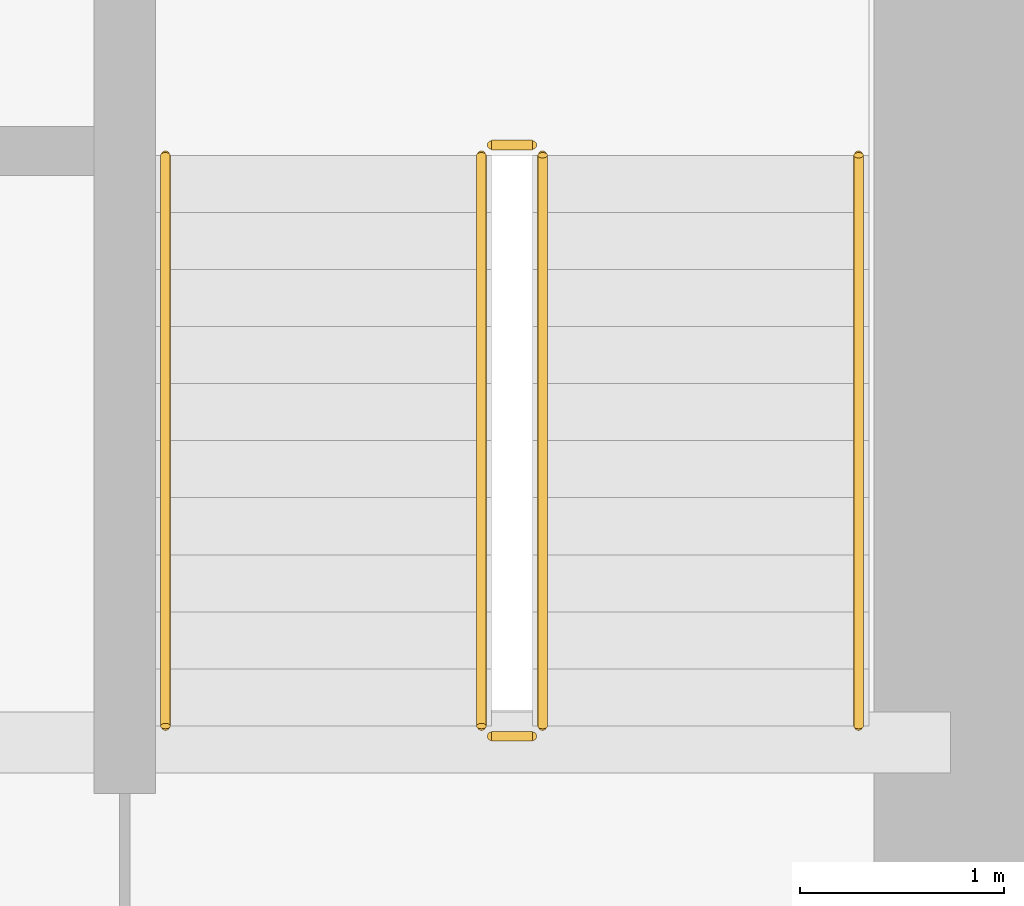
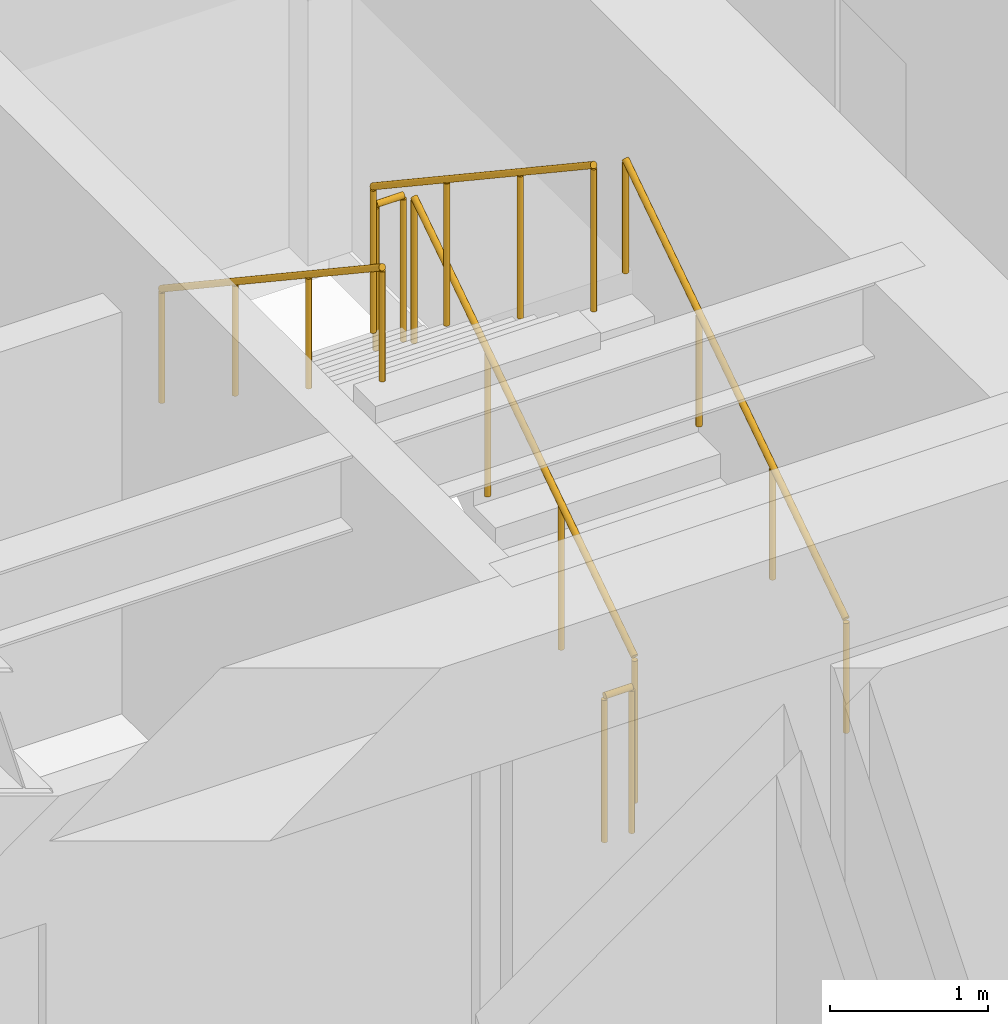
# One storey, part 35 of 35: 6 railings.
"""IFC4 building model written with IfcOpenShell, lengths in metres."""

from ifc_helpers import new_model, si_unit, direction, frame, origin, origin_2d, place, context, subcontext, project, spatial, circle, extrude, source, transform, mapped, material, type_object, type_shapes, element, save


model = new_model("IFC4")

# Units and contexts
model_context = context("Model", 3, precision=1e-05, world=origin(), true_north=direction((0.0, 1.0)))
body_context = subcontext(model_context, "Body", "Model", "MODEL_VIEW")
ifc_project = project(units=[si_unit("LENGTHUNIT", "METRE"), si_unit("AREAUNIT", "SQUARE_METRE"), si_unit("VOLUMEUNIT", "CUBIC_METRE"), si_unit("PLANEANGLEUNIT", "RADIAN"), si_unit("MASSUNIT", "GRAM", prefix="KILO")], contexts=[model_context])

# Site, building, storey
site_placement = place(None, origin())
site = spatial("IfcSite", under=ifc_project, at=site_placement, CompositionType="ELEMENT")
building_placement = place(site_placement, origin())
building = spatial("IfcBuilding", under=site, at=building_placement, Name="Haelvirn Gate Laboratories", CompositionType="ELEMENT")
storey_placement = place(building_placement, frame((0.0, 0.0, 86.699951171875)))
storey = spatial("IfcBuildingStorey", under=building, at=storey_placement, Name="L21", CompositionType="ELEMENT", Elevation=86.699951171875)

# Railings
ifc_material_1 = material(Name="Galvanised steel SM355 & stainless top rail", Category="steel")
railing_type_1 = type_object("IfcRailingType", Name="RL-GUARD-1150", PredefinedType="GUARDRAIL", material=ifc_material_1)
shared_shape_1 = source(origin(), body_context, "Body", "SweptSolid", [
    extrude(circle(Radius=0.02392578125, at=origin_2d()), frame((0.0, 0.0, 1.1259765625), z_axis=(0.0, 0.832485552168, 0.554046753832), x_axis=(-1.0, 0.0, 0.0)), (0.0, 0.0, 1.0), 3.363525390625),
    extrude(circle(Radius=0.02099609375, at=origin_2d()), origin(), (0.0, 0.0, 1.0), 1.101806640625),
    extrude(circle(Radius=0.02099609375, at=origin_2d()), frame((0.0, 0.933349609375, 0.62109375)), (0.0, 0.0, 1.0), 1.101806640625),
    extrude(circle(Radius=0.02099609375, at=origin_2d()), frame((0.0, 1.86669921875, 1.242431640625)), (0.0, 0.0, 1.0), 1.101806640625),
    extrude(circle(Radius=0.02099609375, at=origin_2d()), frame((0.0, 2.800048828125, 1.863525390625)), (0.0, 0.0, 1.0), 1.101806640625),
])
railing_1_placement = place(storey_placement, frame((65.39990234375, 26.699951171875, 0.1865234375)))
element("IfcRailing", 1, at=railing_1_placement, inside=storey, type_object=railing_type_1, Name="L21 ST2 stair guard 1", PredefinedType="GUARDRAIL", context=body_context, shape_type="MappedRepresentation", body=[
    mapped(shared_shape_1, transform((0.0, 0.0, 0.0), scale=1.0)),
])
shared_shape_2 = source(origin(), body_context, "Body", "SweptSolid", [
    extrude(circle(Radius=0.02392578125, at=origin_2d()), frame((0.0, 0.0, 1.1259765625), z_axis=(0.0, -0.832452072856, 0.554097055034), x_axis=(1.0, 0.0, 0.0)), (0.0, 0.0, 1.0), 3.363525390625),
    extrude(circle(Radius=0.02099609375, at=origin_2d()), origin(), (0.0, 0.0, 1.0), 1.101806640625),
    extrude(circle(Radius=0.02099609375, at=origin_2d()), frame((0.0, -0.933349609375, 0.621337890625)), (0.0, 0.0, 1.0), 1.101806640625),
    extrude(circle(Radius=0.02099609375, at=origin_2d()), frame((0.0, -1.86669921875, 1.242431640625)), (0.0, 0.0, 1.0), 1.101806640625),
    extrude(circle(Radius=0.02099609375, at=origin_2d()), frame((0.0, -2.800048828125, 1.86376953125)), (0.0, 0.0, 1.0), 1.101806640625),
])
railing_2_placement = place(storey_placement, frame((65.10009765625, 29.5, 2.236328125)))
element("IfcRailing", 2, at=railing_2_placement, inside=storey, type_object=railing_type_1, Name="L21 ST2 stair guard 3", PredefinedType="GUARDRAIL", context=body_context, shape_type="MappedRepresentation", body=[
    mapped(shared_shape_2, transform((0.0, 0.0, 0.0), scale=1.0)),
])
ifc_material_2 = material(Name="Brushed stainless steel 316L", Category="steel")
railing_type_2 = type_object("IfcRailingType", Name="RL-HAND-920", PredefinedType="HANDRAIL", material=ifc_material_2)
shared_shape_3 = source(origin(), body_context, "Body", "SweptSolid", [
    extrude(circle(Radius=0.02392578125, at=origin_2d()), frame((0.0, 0.0, 0.8759765625), z_axis=(0.0, 0.832485552168, 0.554046753832), x_axis=(-1.0, 0.0, 0.0)), (0.0, 0.0, 1.0), 3.363525390625),
    extrude(circle(Radius=0.02099609375, at=origin_2d()), origin(), (0.0, 0.0, 1.0), 0.851806640625),
    extrude(circle(Radius=0.02099609375, at=origin_2d()), frame((0.0, 0.933349609375, 0.62109375)), (0.0, 0.0, 1.0), 0.851806640625),
    extrude(circle(Radius=0.02099609375, at=origin_2d()), frame((0.0, 1.86669921875, 1.242431640625)), (0.0, 0.0, 1.0), 0.851806640625),
    extrude(circle(Radius=0.02099609375, at=origin_2d()), frame((0.0, 2.800048828125, 1.863525390625)), (0.0, 0.0, 1.0), 0.851806640625),
])
railing_3_placement = place(storey_placement, frame((66.949951171875, 26.699951171875, 0.1865234375)))
element("IfcRailing", 3, at=railing_3_placement, inside=storey, type_object=railing_type_2, Name="L21 ST2 stair handrail 1", PredefinedType="HANDRAIL", context=body_context, shape_type="MappedRepresentation", body=[
    mapped(shared_shape_3, transform((0.0, 0.0, 0.0), scale=1.0)),
])
shared_shape_4 = source(origin(), body_context, "Body", "SweptSolid", [
    extrude(circle(Radius=0.02392578125, at=origin_2d()), frame((0.0, 0.0, 0.8759765625), z_axis=(0.0, -0.832452072856, 0.554097055034), x_axis=(1.0, 0.0, 0.0)), (0.0, 0.0, 1.0), 3.363525390625),
    extrude(circle(Radius=0.02099609375, at=origin_2d()), origin(), (0.0, 0.0, 1.0), 0.851806640625),
    extrude(circle(Radius=0.02099609375, at=origin_2d()), frame((0.0, -0.933349609375, 0.621337890625)), (0.0, 0.0, 1.0), 0.851806640625),
    extrude(circle(Radius=0.02099609375, at=origin_2d()), frame((0.0, -1.86669921875, 1.242431640625)), (0.0, 0.0, 1.0), 0.851806640625),
    extrude(circle(Radius=0.02099609375, at=origin_2d()), frame((0.0, -2.800048828125, 1.86376953125)), (0.0, 0.0, 1.0), 0.851806640625),
])
type_shapes(railing_type_2, [shared_shape_3, shared_shape_4])
railing_4_placement = place(storey_placement, frame((63.550048828125, 29.5, 2.236328125)))
element("IfcRailing", 4, at=railing_4_placement, inside=storey, type_object=railing_type_2, Name="L21 ST2 stair handrail 2", PredefinedType="HANDRAIL", context=body_context, shape_type="MappedRepresentation", body=[
    mapped(shared_shape_4, transform((0.0, 0.0, 0.0), scale=1.0)),
])
shared_shape_5 = source(origin(), body_context, "Body", "SweptSolid", [
    extrude(circle(Radius=0.02392578125, at=origin_2d()), frame((0.0, 0.0, 1.1259765625), z_axis=(-1.0, 0.0, 0.0), x_axis=(0.0, -1.0, 0.0)), (0.0, 0.0, 1.0), 0.2001953125),
    extrude(circle(Radius=0.02099609375, at=origin_2d()), origin(), (0.0, 0.0, 1.0), 1.101806640625),
    extrude(circle(Radius=0.02099609375, at=origin_2d()), frame((-0.2001953125, 0.0, 0.0)), (0.0, 0.0, 1.0), 1.101806640625),
])
type_shapes(railing_type_1, [shared_shape_1, shared_shape_2, shared_shape_5])
for number, where, name in (
    (5, (65.35009765625, 29.550048828125, 2.050048828125), "L21 ST2 stair guard 2"),
    (6, (65.35009765625, 26.64990234375, 0.0), "L21 ST2 stair guard 4"),
):
    element("IfcRailing", number, at=place(storey_placement, frame(where)), inside=storey, type_object=railing_type_1, Name=name, PredefinedType="GUARDRAIL", context=body_context, shape_type="MappedRepresentation", body=[
        mapped(shared_shape_5, transform((0.0, 0.0, 0.0), scale=1.0)),
    ])

save(model, "model.ifc")
